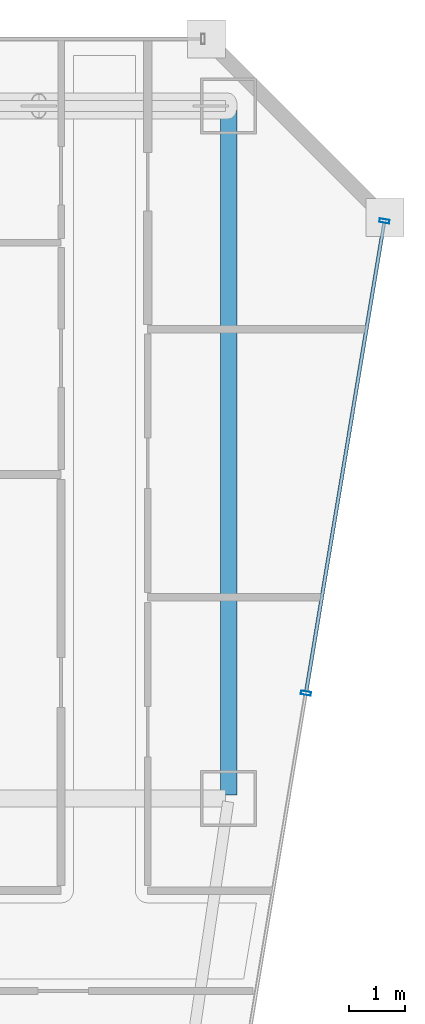
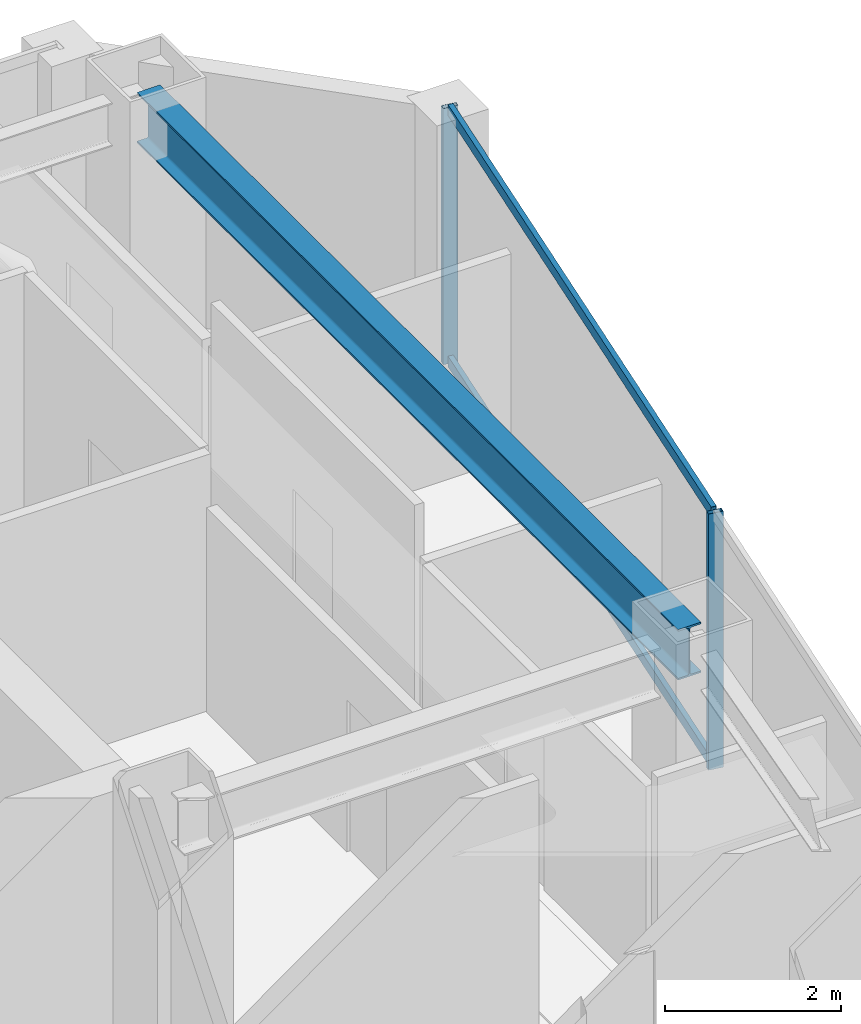
# One storey, part 29 of 40: 4 members, 1 beam, 1 element without a shape of its own.
"""IFC4 building model written with IfcOpenShell, lengths in metres."""

from ifc_helpers import new_model, si_unit, direction, frame, origin, origin_2d, place, context, subcontext, project, spatial, hollow_rectangle, i_section, extrude, material, material_profile, profile_set, type_object, element, aggregate, save


model = new_model("IFC4")

# Units and contexts
model_context = context("Model", 3, precision=1e-05, world=origin(), true_north=direction((0.0, 1.0)))
body_context = subcontext(model_context, "Body", "Model", "MODEL_VIEW")
ifc_project = project(units=[si_unit("LENGTHUNIT", "METRE"), si_unit("AREAUNIT", "SQUARE_METRE"), si_unit("VOLUMEUNIT", "CUBIC_METRE"), si_unit("PLANEANGLEUNIT", "RADIAN"), si_unit("MASSUNIT", "GRAM", prefix="KILO")], contexts=[model_context])

# Site, building, storey
site_placement = place(None, origin())
site = spatial("IfcSite", under=ifc_project, at=site_placement, CompositionType="ELEMENT")
building_placement = place(site_placement, origin())
building = spatial("IfcBuilding", under=site, at=building_placement, Name="Saevonmaru Cultural Tower", CompositionType="ELEMENT")
storey_placement = place(building_placement, frame((0.0, 0.0, 129.60009765625)))
storey = spatial("IfcBuildingStorey", under=building, at=storey_placement, Name="L27", CompositionType="ELEMENT", Elevation=129.60009765625)

# Beam
ifc_material_1 = material(Name="Steel SM355", Category="steel")
ifc_material_profile_1 = material_profile(ifc_material_1, i_section(OverallWidth=0.300048828125, OverallDepth=0.699951171875, WebThickness=0.012939453125, FlangeThickness=0.02392578125, FilletRadius=0.02587890625, at=origin_2d()), Name="H-700x300x13x24")
ifc_profile_set_1 = profile_set([ifc_material_profile_1], Name="Steel SM355")
beam_type = type_object("IfcBeamType", Name="BM-G-H700", PredefinedType="BEAM", material=ifc_profile_set_1)
beam_placement = place(storey_placement, frame((53.199951171875, 54.739990234375, 3.199951171875), z_axis=(0.0, -1.0, 0.0), x_axis=(1.0, 0.0, 0.0)))
element("IfcBeam", 1, at=beam_placement, inside=storey, type_object=beam_type, Name="L27 Spine Transverse Girder E", PredefinedType="BEAM", context=body_context, shape_type="SweptSolid", body=[
    extrude(i_section(OverallWidth=0.300048828125, OverallDepth=0.699951171875, WebThickness=0.012939453125, FlangeThickness=0.02392578125, FilletRadius=0.02587890625, at=origin_2d()), origin(), (0.0, 0.0, 1.0), 12.280029296875),
])

# Curtain wall, members
ifc_material_2 = material(Name="Satin Bronze Anodised Aluminium", Category="aluminium")
curtain_wall_type = type_object("IfcCurtainWallType", Name="CW-SKY-GLZ", PredefinedType="NOTDEFINED", material=ifc_material_2)
curtain_wall_placement = place(storey_placement, origin())
curtain_wall = element("IfcCurtainWall", 2, at=curtain_wall_placement, inside=storey, type_object=curtain_wall_type, Name="L27 Unitised Curtain Wall E8", PredefinedType="NOTDEFINED")
ifc_material_profile_2 = material_profile(ifc_material_2, hollow_rectangle(XDim=0.06494140625, YDim=0.179931640625, WallThickness=0.00390625, at=origin_2d()), Name="ALU-MULL-180x65x4")
ifc_profile_set_2 = profile_set([ifc_material_profile_2], Name="Satin Bronze Anodised Aluminium")
member_type_1 = type_object("IfcMemberType", Name="ML-CW-180x65", PredefinedType="MULLION", material=ifc_profile_set_2)
member_1_placement = place(storey_placement, frame((54.584228515625, 44.284423828125, 0.0), z_axis=(0.0, 0.0, 1.0), x_axis=(0.163998702345, 0.986460554523, 0.0)))
member_1 = element("IfcMember", 3, at=member_1_placement, type_object=member_type_1, Name="CW-TW-L27-E8 mullion 5", PredefinedType="MULLION", context=body_context, shape_type="SweptSolid", body=[
    extrude(hollow_rectangle(XDim=0.06494140625, YDim=0.179931640625, WallThickness=0.00390625, at=origin_2d()), origin(), (0.0, 0.0, 1.0), 3.5498046875),
])
member_2_placement = place(storey_placement, frame((55.990234375, 52.74072265625, 0.0), z_axis=(0.0, 0.0, 1.0), x_axis=(0.163998702345, 0.986460554523, 0.0)))
member_2 = element("IfcMember", 4, at=member_2_placement, type_object=member_type_1, Name="CW-TW-L27-E8 mullion 6", PredefinedType="MULLION", context=body_context, shape_type="SweptSolid", body=[
    extrude(hollow_rectangle(XDim=0.06494140625, YDim=0.179931640625, WallThickness=0.00390625, at=origin_2d()), origin(), (0.0, 0.0, 1.0), 3.5498046875),
])
ifc_material_profile_3 = material_profile(ifc_material_2, hollow_rectangle(XDim=0.06494140625, YDim=0.14990234375, WallThickness=0.00390625, at=origin_2d()), Name="ALU-TRAN-150x65x4")
ifc_profile_set_3 = profile_set([ifc_material_profile_3], Name="Satin Bronze Anodised Aluminium")
member_type_2 = type_object("IfcMemberType", Name="TR-CW-150x65", PredefinedType="USERDEFINED", material=ifc_profile_set_3)
member_3_placement = place(storey_placement, frame((54.589599609375, 44.316650390625, 0.032470703125), z_axis=(0.164008063497, 0.986458998189, 0.0), x_axis=(-0.986458998189, 0.164008063497, 0.0)))
member_3 = element("IfcMember", 5, at=member_3_placement, type_object=member_type_2, Name="CW-TW-L27-E8 transom 5.1", ObjectType="TRANSOM", PredefinedType="USERDEFINED", context=body_context, shape_type="SweptSolid", body=[
    extrude(hollow_rectangle(XDim=0.06494140625, YDim=0.14990234375, WallThickness=0.00390625, at=origin_2d()), origin(), (0.0, 0.0, 1.0), 8.50732421875),
])
member_4_placement = place(storey_placement, frame((54.589599609375, 44.316650390625, 3.517333984375), z_axis=(0.164008063497, 0.986458998189, 0.0), x_axis=(-0.986458998189, 0.164008063497, 0.0)))
member_4 = element("IfcMember", 6, at=member_4_placement, type_object=member_type_2, Name="CW-TW-L27-E8 transom 5.2", ObjectType="TRANSOM", PredefinedType="USERDEFINED", context=body_context, shape_type="SweptSolid", body=[
    extrude(hollow_rectangle(XDim=0.06494140625, YDim=0.14990234375, WallThickness=0.00390625, at=origin_2d()), origin(), (0.0, 0.0, 1.0), 8.50732421875),
])
aggregate(curtain_wall, [member_1, member_2, member_3, member_4])

save(model, "model.ifc")
